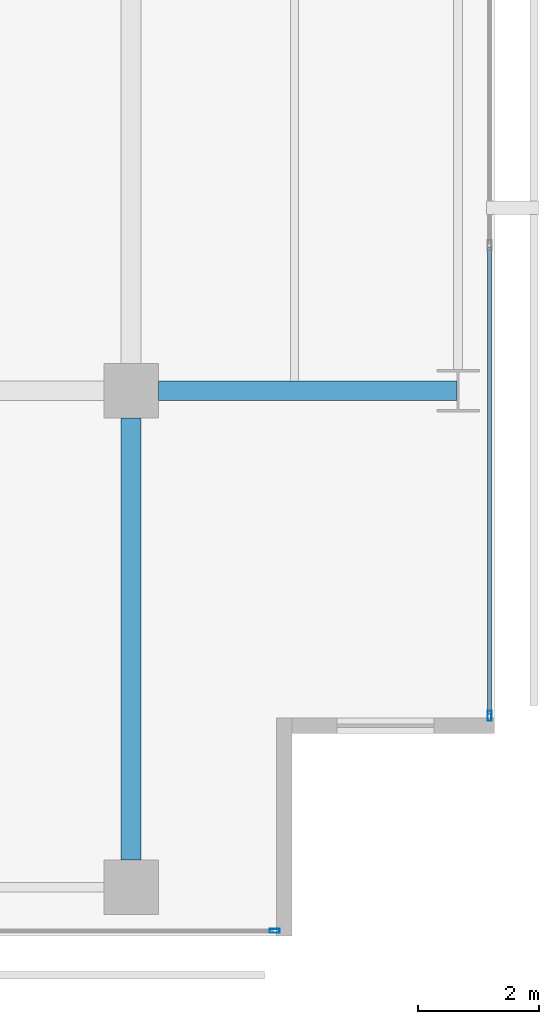
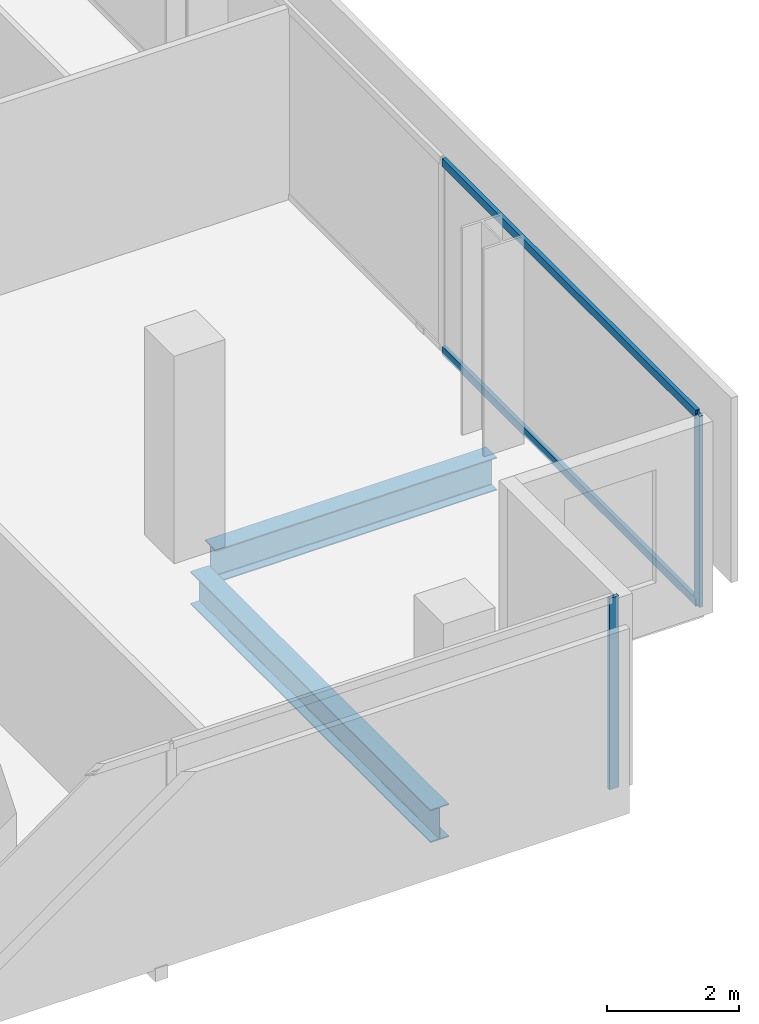
# One storey, part 16 of 39: 4 members, 2 beams, 2 elements without a shape of their own.
"""IFC4 building model written with IfcOpenShell, lengths in metres."""

from ifc_helpers import new_model, si_unit, direction, frame, origin, origin_2d, place, context, subcontext, project, spatial, hollow_rectangle, i_section, extrude, material, layer, layer_set, material_profile, profile_set, type_object, element, aggregate, save


model = new_model("IFC4")

# Units and contexts
model_context = context("Model", 3, precision=1e-05, world=origin(), true_north=direction((0.0, 1.0)))
body_context = subcontext(model_context, "Body", "Model", "MODEL_VIEW")
ifc_project = project(units=[si_unit("LENGTHUNIT", "METRE"), si_unit("AREAUNIT", "SQUARE_METRE"), si_unit("VOLUMEUNIT", "CUBIC_METRE"), si_unit("PLANEANGLEUNIT", "RADIAN"), si_unit("MASSUNIT", "GRAM", prefix="KILO")], contexts=[model_context])

# Site, building, storey
site_placement = place(None, origin())
site = spatial("IfcSite", under=ifc_project, at=site_placement, CompositionType="ELEMENT")
building_placement = place(site_placement, origin())
building = spatial("IfcBuilding", under=site, at=building_placement, Name="Maruvema Waterfront Hotel and Observation Tower", CompositionType="ELEMENT")
storey_placement = place(building_placement, frame((0.0, 0.0, 111.64990234375)))
storey = spatial("IfcBuildingStorey", under=building, at=storey_placement, Name="L27", CompositionType="ELEMENT", Elevation=111.64990234375)

# Curtain wall, members
ifc_material_1 = material(Name="Anodised bronze aluminium and solar-control low-E IGU", Category="aluminium")
ifc_layer = layer(ifc_material_1, 0.159912109375, Name="Zone 1 Bronze Inner Thermal Curtain Wall System CW-02")
ifc_layer_set = layer_set([ifc_layer], Name="Anodised bronze aluminium and solar-control low-E IGU")
curtain_wall_type = type_object("IfcCurtainWallType", Name="Zone 1 Bronze Inner Thermal Curtain Wall System CW-02", PredefinedType="USERDEFINED", material=ifc_layer_set)
curtain_wall_1_placement = place(storey_placement, origin())
curtain_wall_1 = element("IfcCurtainWall", 1, at=curtain_wall_1_placement, inside=storey, type_object=curtain_wall_type, Name="L27 Curtain Wall CW-L27-E", ObjectType="UNITISED CURTAIN WALL", PredefinedType="USERDEFINED")
ifc_material_2 = material(Name="Anodised architectural bronze aluminium", Category="aluminium")
ifc_material_profile_1 = material_profile(ifc_material_2, hollow_rectangle(XDim=0.070068359375, YDim=0.14990234375, WallThickness=0.00390625, at=origin_2d()), Name="ALU-T70x150")
ifc_profile_set_1 = profile_set([ifc_material_profile_1], Name="Anodised architectural bronze aluminium")
member_type_1 = type_object("IfcMemberType", Name="Curtain Wall Horizontal Transom ALU-T70x150", PredefinedType="USERDEFINED", material=ifc_profile_set_1)
member_1_placement = place(storey_placement, frame((64.719970703125, 3.659912109375, 0.030029296875), z_axis=(0.0, 1.0, 0.0), x_axis=(-1.0, 0.0, 0.0)))
member_1 = element("IfcMember", 2, at=member_1_placement, type_object=member_type_1, Name="CW-02 transom 1.1", ObjectType="TRANSOM", PredefinedType="USERDEFINED", context=body_context, shape_type="SweptSolid", body=[
    extrude(hollow_rectangle(XDim=0.070068359375, YDim=0.14990234375, WallThickness=0.00390625, at=origin_2d()), origin(), (0.0, 0.0, 1.0), 7.710205078125),
])
member_2_placement = place(storey_placement, frame((64.719970703125, 3.659912109375, 3.52001953125), z_axis=(0.0, 1.0, 0.0), x_axis=(-1.0, 0.0, 0.0)))
member_2 = element("IfcMember", 3, at=member_2_placement, type_object=member_type_1, Name="CW-02 transom 1.2", ObjectType="TRANSOM", PredefinedType="USERDEFINED", context=body_context, shape_type="SweptSolid", body=[
    extrude(hollow_rectangle(XDim=0.070068359375, YDim=0.14990234375, WallThickness=0.00390625, at=origin_2d()), origin(), (0.0, 0.0, 1.0), 7.710205078125),
])

# Curtain wall, member
curtain_wall_2_placement = place(storey_placement, origin())
curtain_wall_2 = element("IfcCurtainWall", 4, at=curtain_wall_2_placement, inside=storey, type_object=curtain_wall_type, Name="L27 Curtain Wall CW-L27-S", ObjectType="UNITISED CURTAIN WALL", PredefinedType="USERDEFINED")
ifc_material_3 = material(Name="Anodised architectural bronze aluminium", Category="aluminium")
ifc_material_profile_2 = material_profile(ifc_material_3, hollow_rectangle(XDim=0.06494140625, YDim=0.1650390625, WallThickness=0.00390625, at=origin_2d()), Name="ALU-M65x165")
ifc_profile_set_2 = profile_set([ifc_material_profile_2], Name="Anodised architectural bronze aluminium")
member_type_2 = type_object("IfcMemberType", Name="Curtain Wall Primary Mullion ALU-M65x165", PredefinedType="MULLION", material=ifc_profile_set_2)
member_3_placement = place(storey_placement, frame((61.169921875, 0.080078125, 0.0), z_axis=(0.0, 0.0, 1.0), x_axis=(0.0, 1.0, 0.0)))
member_3 = element("IfcMember", 5, at=member_3_placement, type_object=member_type_2, Name="CW-02 mullion 7", PredefinedType="MULLION", context=body_context, shape_type="SweptSolid", body=[
    extrude(hollow_rectangle(XDim=0.06494140625, YDim=0.1650390625, WallThickness=0.00390625, at=origin_2d()), origin(), (0.0, 0.0, 1.0), 3.550048828125),
])
aggregate(curtain_wall_2, [member_3])

# Member
member_4_placement = place(storey_placement, frame((64.719970703125, 3.6298828125, 0.0), z_axis=(0.0, 0.0, 1.0), x_axis=(-1.0, 0.0, 0.0)))
member_4 = element("IfcMember", 6, at=member_4_placement, type_object=member_type_2, Name="CW-02 mullion 1", PredefinedType="MULLION", context=body_context, shape_type="SweptSolid", body=[
    extrude(hollow_rectangle(XDim=0.06494140625, YDim=0.1650390625, WallThickness=0.00390625, at=origin_2d()), origin(), (0.0, 0.0, 1.0), 3.550048828125),
])

aggregate(curtain_wall_1, [member_4, member_1, member_2])

# Beams
ifc_material_4 = material(Name="Steel ASTM A572 Grade 50", Category="steel")
ifc_material_profile_3 = material_profile(ifc_material_4, i_section(OverallWidth=0.323974609375, OverallDepth=0.611083984375, WebThickness=0.0126953125, FlangeThickness=0.01904296875, FilletRadius=0.01806640625, at=origin_2d()), Name="W610x155.0")
ifc_profile_set_3 = profile_set([ifc_material_profile_3], Name="Steel ASTM A572 Grade 50")
beam_type = type_object("IfcBeamType", Name="Primary Floor Girder W610x155.0", PredefinedType="BEAM", material=ifc_profile_set_3)
beam_1_placement = place(storey_placement, frame((59.25, 9.0, -0.54541015625), z_axis=(1.0, 0.0, 0.0), x_axis=(0.0, 1.0, 0.0)))
element("IfcBeam", 7, at=beam_1_placement, inside=storey, type_object=beam_type, Name="L27 Floor Girder EW-12", PredefinedType="BEAM", context=body_context, shape_type="SweptSolid", body=[
    extrude(i_section(OverallWidth=0.323974609375, OverallDepth=0.611083984375, WebThickness=0.0126953125, FlangeThickness=0.01904296875, FilletRadius=0.01806640625, at=origin_2d()), origin(), (0.0, 0.0, 1.0), 4.93603515625),
])
beam_2_placement = place(storey_placement, frame((58.800048828125, 1.25, -0.54541015625), z_axis=(0.0, 1.0, 0.0), x_axis=(-1.0, 0.0, 0.0)))
element("IfcBeam", 8, at=beam_2_placement, inside=storey, type_object=beam_type, Name="L27 Floor Girder NS-27", PredefinedType="BEAM", context=body_context, shape_type="SweptSolid", body=[
    extrude(i_section(OverallWidth=0.323974609375, OverallDepth=0.611083984375, WebThickness=0.0126953125, FlangeThickness=0.01904296875, FilletRadius=0.01806640625, at=origin_2d()), origin(), (0.0, 0.0, 1.0), 7.300048828125),
])

save(model, "model.ifc")
